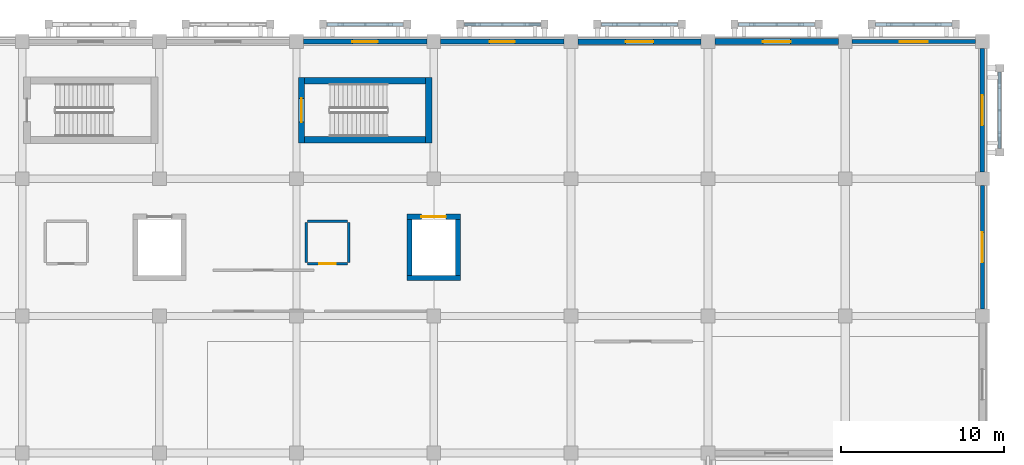
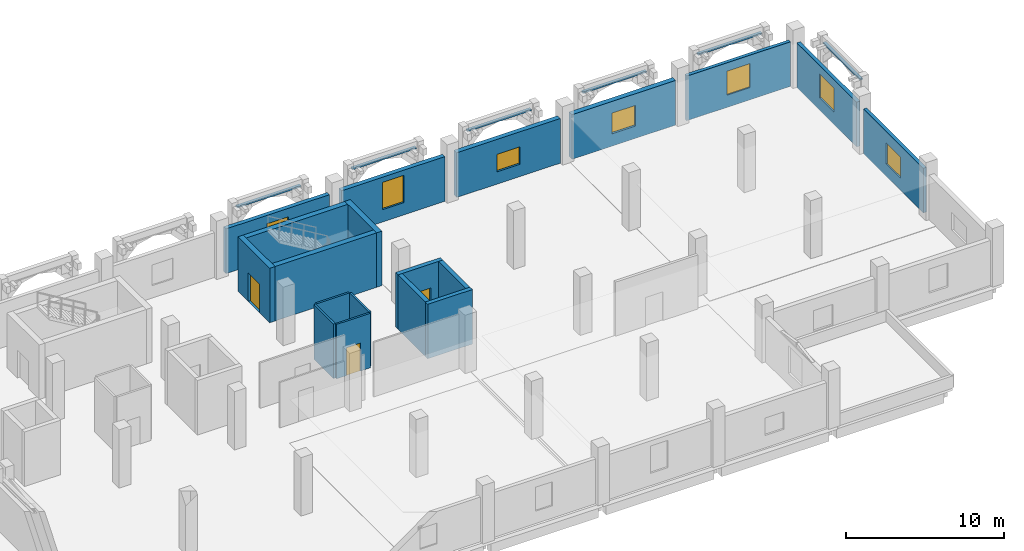
# One storey, part 119 of 137: 25 walls, 7 windows, 3 doors, 10 openings.
"""IFC4 building model written with IfcOpenShell, lengths in metres."""

from ifc_helpers import new_model, si_unit, direction, frame, frame_2d, origin, place, context, subcontext, project, spatial, rectangle, extrude, material, layer, layer_set, type_object, element, fill, save


model = new_model("IFC4")

# Units and contexts
model_context = context("Model", 3, precision=1e-05, world=origin(), true_north=direction((0.0, 1.0)))
body_context = subcontext(model_context, "Body", "Model", "MODEL_VIEW")
ifc_project = project(units=[si_unit("LENGTHUNIT", "METRE"), si_unit("AREAUNIT", "SQUARE_METRE"), si_unit("VOLUMEUNIT", "CUBIC_METRE"), si_unit("PLANEANGLEUNIT", "RADIAN"), si_unit("MASSUNIT", "GRAM", prefix="KILO")], contexts=[model_context])

# Site, building, storey
site_placement = place(None, origin())
site = spatial("IfcSite", under=ifc_project, at=site_placement, CompositionType="ELEMENT")
building_placement = place(site_placement, origin())
building = spatial("IfcBuilding", under=site, at=building_placement, Name="Xazarin Passage Department Store", CompositionType="ELEMENT")
storey_placement = place(building_placement, frame((0.0, 0.0, 5.39990234375)))
storey = spatial("IfcBuildingStorey", under=building, at=storey_placement, Name="L01", CompositionType="ELEMENT", Elevation=5.39990234375)

# Wall, opening, window
ifc_material_1 = material(Name="Precast concrete C40/50", Category="concrete")
ifc_layer_1 = layer(ifc_material_1, 0.239990234375)
ifc_layer_set_1 = layer_set([ifc_layer_1], Name="Precast concrete C40/50")
wall_type_1 = type_object("IfcWallType", Name="ARC-W-EXT240", PredefinedType="SOLIDWALL", material=ifc_layer_set_1)
wall_1_placement = place(storey_placement, frame((161.625, 110.0, 0.0), z_axis=(0.0, 0.0, 1.0), x_axis=(1.0, 0.0, 0.0)))
wall_1 = element("IfcWall", 1, at=wall_1_placement, inside=storey, type_object=wall_type_1, Name="L01 V4 Exterior Wall 286", PredefinedType="SOLIDWALL", context=body_context, shape_type="SweptSolid", body=[
    extrude(rectangle(XDim=7.550048828125, YDim=0.239990234375, at=frame_2d((3.77490234375, 0.0))), origin(), (0.0, 0.0, 1.0), 3.4501953125),
])
opening_1_placement = place(wall_1_placement, frame((2.925048828125, 0.0, 0.949951171875)))
opening_1 = element("IfcOpeningElement", 2, at=opening_1_placement, cuts=wall_1, Name="Opening W23", PredefinedType="OPENING", context=body_context, shape_type="SweptSolid", body=[
    extrude(rectangle(XDim=1.699951171875, YDim=1.85009765625, at=frame_2d((0.85009765625, 0.925048828125))), frame((0.0, 0.1298828125, 0.0), z_axis=(0.0, -1.0, 0.0), x_axis=(1.0, 0.0, 0.0)), (0.0, 0.0, 1.0), 0.260009765625),
])
ifc_material_2 = material(Name="Low-E laminated safety glass", Category="glass")
window_type_1 = type_object("IfcWindowType", Name="ARC-WIN-W23", PartitioningType="DOUBLE_PANEL_VERTICAL", PredefinedType="WINDOW", material=ifc_material_2)
window_1_placement = place(opening_1_placement, origin())
window_1 = element("IfcWindow", 3, at=window_1_placement, inside=storey, type_object=window_type_1, Name="L01 V4 Facade Window 0071", OverallHeight=1.85009765625, OverallWidth=1.699951171875, PartitioningType="DOUBLE_PANEL_VERTICAL", PredefinedType="WINDOW", context=body_context, shape_type="SweptSolid", body=[
    extrude(rectangle(XDim=1.699951171875, YDim=1.85009765625, at=frame_2d((0.85009765625, 0.925048828125))), frame((0.0, 0.030029296875, 0.0), z_axis=(0.0, -1.0, 0.0), x_axis=(1.0, 0.0, 0.0)), (0.0, 0.0, 1.0), 0.06005859375),
])
fill(opening_1, window_1)

wall_2_placement = place(storey_placement, frame((169.60009765625, 93.625, 0.0), z_axis=(0.0, 0.0, 1.0), x_axis=(0.0, 1.0, 0.0)))
wall_2 = element("IfcWall", 4, at=wall_2_placement, inside=storey, type_object=wall_type_1, Name="L01 V4 Exterior Wall 293", PredefinedType="SOLIDWALL", context=body_context, shape_type="SweptSolid", body=[
    extrude(rectangle(XDim=7.550048828125, YDim=0.239990234375, at=frame_2d((3.77490234375, 0.0))), origin(), (0.0, 0.0, 1.0), 3.4501953125),
])
opening_2_placement = place(wall_2_placement, frame((2.85009765625, 0.0, 0.949951171875)))
opening_2 = element("IfcOpeningElement", 5, at=opening_2_placement, cuts=wall_2, Name="Opening W26", PredefinedType="OPENING", context=body_context, shape_type="SweptSolid", body=[
    extrude(rectangle(XDim=1.85009765625, YDim=1.60009765625, at=frame_2d((0.925048828125, 0.800048828125))), frame((0.0, 0.1298828125, 0.0), z_axis=(0.0, -1.0, 0.0), x_axis=(1.0, 0.0, 0.0)), (0.0, 0.0, 1.0), 0.260009765625),
])
window_type_2 = type_object("IfcWindowType", Name="ARC-WIN-W26", PartitioningType="DOUBLE_PANEL_VERTICAL", PredefinedType="WINDOW", material=ifc_material_2)
window_2_placement = place(opening_2_placement, origin())
window_2 = element("IfcWindow", 6, at=window_2_placement, inside=storey, type_object=window_type_2, Name="L01 V4 Facade Window 0074", OverallHeight=1.60009765625, OverallWidth=1.85009765625, PartitioningType="DOUBLE_PANEL_VERTICAL", PredefinedType="WINDOW", context=body_context, shape_type="SweptSolid", body=[
    extrude(rectangle(XDim=1.85009765625, YDim=1.60009765625, at=frame_2d((0.925048828125, 0.800048828125))), frame((0.0, 0.030029296875, 0.0), z_axis=(0.0, -1.0, 0.0), x_axis=(1.0, 0.0, 0.0)), (0.0, 0.0, 1.0), 0.06005859375),
])
fill(opening_2, window_2)

ifc_layer_2 = layer(ifc_material_1, 0.260009765625)
ifc_layer_set_2 = layer_set([ifc_layer_2], Name="Precast concrete C40/50")
wall_type_2 = type_object("IfcWallType", Name="ARC-W-EXT260", PredefinedType="SOLIDWALL", material=ifc_layer_set_2)
wall_3_placement = place(storey_placement, frame((169.60009765625, 102.02490234375, 0.0), z_axis=(0.0, 0.0, 1.0), x_axis=(0.0, 1.0, 0.0)))
wall_3 = element("IfcWall", 7, at=wall_3_placement, inside=storey, type_object=wall_type_2, Name="L01 V4 Exterior Wall 294", PredefinedType="SOLIDWALL", context=body_context, shape_type="SweptSolid", body=[
    extrude(rectangle(XDim=7.550048828125, YDim=0.260009765625, at=frame_2d((3.77490234375, 0.0))), origin(), (0.0, 0.0, 1.0), 3.4501953125),
])
opening_3_placement = place(wall_3_placement, frame((2.85009765625, 0.0, 0.949951171875)))
opening_3 = element("IfcOpeningElement", 8, at=opening_3_placement, cuts=wall_3, Name="Opening W27", PredefinedType="OPENING", context=body_context, shape_type="SweptSolid", body=[
    extrude(rectangle(XDim=1.85009765625, YDim=1.85009765625, at=frame_2d((0.925048828125, 0.925048828125))), frame((0.0, 0.139892578125, 0.0), z_axis=(0.0, -1.0, 0.0), x_axis=(1.0, 0.0, 0.0)), (0.0, 0.0, 1.0), 0.280029296875),
])
window_type_3 = type_object("IfcWindowType", Name="ARC-WIN-W27", PartitioningType="DOUBLE_PANEL_VERTICAL", PredefinedType="WINDOW", material=ifc_material_2)
window_3_placement = place(opening_3_placement, origin())
window_3 = element("IfcWindow", 9, at=window_3_placement, inside=storey, type_object=window_type_3, Name="L01 V4 Facade Window 0075", OverallHeight=1.85009765625, OverallWidth=1.85009765625, PartitioningType="DOUBLE_PANEL_VERTICAL", PredefinedType="WINDOW", context=body_context, shape_type="SweptSolid", body=[
    extrude(rectangle(XDim=1.85009765625, YDim=1.85009765625, at=frame_2d((0.925048828125, 0.925048828125))), frame((0.0, 0.030029296875, 0.0), z_axis=(0.0, -1.0, 0.0), x_axis=(1.0, 0.0, 0.0)), (0.0, 0.0, 1.0), 0.06005859375),
])
fill(opening_3, window_3)

ifc_layer_3 = layer(ifc_material_1, 0.300048828125)
ifc_layer_set_3 = layer_set([ifc_layer_3], Name="Precast concrete C40/50")
wall_type_3 = type_object("IfcWallType", Name="ARC-W-EXT300", PredefinedType="SOLIDWALL", material=ifc_layer_set_3)
wall_4_placement = place(storey_placement, frame((128.02490234375, 110.0, 0.0), z_axis=(0.0, 0.0, 1.0), x_axis=(1.0, 0.0, 0.0)))
wall_4 = element("IfcWall", 10, at=wall_4_placement, inside=storey, type_object=wall_type_3, Name="L01 V4 Exterior Wall 282", PredefinedType="SOLIDWALL", context=body_context, shape_type="SweptSolid", body=[
    extrude(rectangle(XDim=7.550048828125, YDim=0.300048828125, at=frame_2d((3.77490234375, 0.0))), origin(), (0.0, 0.0, 1.0), 3.4501953125),
])
opening_4_placement = place(wall_4_placement, frame((3.0, 0.0, 0.949951171875)))
opening_4 = element("IfcOpeningElement", 11, at=opening_4_placement, cuts=wall_4, Name="Opening W19", PredefinedType="OPENING", context=body_context, shape_type="SweptSolid", body=[
    extrude(rectangle(XDim=1.550048828125, YDim=1.85009765625, at=frame_2d((0.77490234375, 0.925048828125))), frame((0.0, 0.159912109375, 0.0), z_axis=(0.0, -1.0, 0.0), x_axis=(1.0, 0.0, 0.0)), (0.0, 0.0, 1.0), 0.320068359375),
])
window_type_4 = type_object("IfcWindowType", Name="ARC-WIN-W19", PartitioningType="SINGLE_PANEL", PredefinedType="WINDOW", material=ifc_material_2)
window_4_placement = place(opening_4_placement, origin())
window_4 = element("IfcWindow", 12, at=window_4_placement, inside=storey, type_object=window_type_4, Name="L01 V4 Facade Window 0067", OverallHeight=1.85009765625, OverallWidth=1.550048828125, PartitioningType="SINGLE_PANEL", PredefinedType="WINDOW", context=body_context, shape_type="SweptSolid", body=[
    extrude(rectangle(XDim=1.550048828125, YDim=1.85009765625, at=frame_2d((0.77490234375, 0.925048828125))), frame((0.0, 0.030029296875, 0.0), z_axis=(0.0, -1.0, 0.0), x_axis=(1.0, 0.0, 0.0)), (0.0, 0.0, 1.0), 0.06005859375),
])
fill(opening_4, window_4)

ifc_material_3 = material(Name="Buff Baku clay brick", Category="masonry")
ifc_layer_4 = layer(ifc_material_3, 0.320068359375)
ifc_layer_set_4 = layer_set([ifc_layer_4], Name="Buff Baku clay brick")
wall_type_4 = type_object("IfcWallType", Name="ARC-W-EXT320", PredefinedType="SOLIDWALL", material=ifc_layer_set_4)
wall_5_placement = place(storey_placement, frame((136.425048828125, 110.0, 0.0), z_axis=(0.0, 0.0, 1.0), x_axis=(1.0, 0.0, 0.0)))
wall_5 = element("IfcWall", 13, at=wall_5_placement, inside=storey, type_object=wall_type_4, Name="L01 V4 Exterior Wall 283", PredefinedType="SOLIDWALL", context=body_context, shape_type="SweptSolid", body=[
    extrude(rectangle(XDim=7.550048828125, YDim=0.320068359375, at=frame_2d((3.77490234375, 0.0))), origin(), (0.0, 0.0, 1.0), 3.4501953125),
])
opening_5_placement = place(wall_5_placement, frame((3.0, 0.0, 0.949951171875)))
opening_5 = element("IfcOpeningElement", 14, at=opening_5_placement, cuts=wall_5, Name="Opening W20", PredefinedType="OPENING", context=body_context, shape_type="SweptSolid", body=[
    extrude(rectangle(XDim=1.550048828125, YDim=2.10009765625, at=frame_2d((0.77490234375, 1.050048828125))), frame((0.0, 0.169921875, 0.0), z_axis=(0.0, -1.0, 0.0), x_axis=(1.0, 0.0, 0.0)), (0.0, 0.0, 1.0), 0.340087890625),
])
window_type_5 = type_object("IfcWindowType", Name="ARC-WIN-W20", PartitioningType="SINGLE_PANEL", PredefinedType="WINDOW", material=ifc_material_2)
window_5_placement = place(opening_5_placement, origin())
window_5 = element("IfcWindow", 15, at=window_5_placement, inside=storey, type_object=window_type_5, Name="L01 V4 Facade Window 0068", OverallHeight=2.10009765625, OverallWidth=1.550048828125, PartitioningType="SINGLE_PANEL", PredefinedType="WINDOW", context=body_context, shape_type="SweptSolid", body=[
    extrude(rectangle(XDim=1.550048828125, YDim=2.10009765625, at=frame_2d((0.77490234375, 1.050048828125))), frame((0.0, 0.030029296875, 0.0), z_axis=(0.0, -1.0, 0.0), x_axis=(1.0, 0.0, 0.0)), (0.0, 0.0, 1.0), 0.06005859375),
])
fill(opening_5, window_5)

ifc_material_4 = material(Name="Absheron limestone cladding", Category="masonry")
ifc_layer_5 = layer(ifc_material_4, 0.340087890625)
ifc_layer_set_5 = layer_set([ifc_layer_5], Name="Absheron limestone cladding")
wall_type_5 = type_object("IfcWallType", Name="ARC-W-EXT340", PredefinedType="SOLIDWALL", material=ifc_layer_set_5)
wall_6_placement = place(storey_placement, frame((144.824951171875, 110.0, 0.0), z_axis=(0.0, 0.0, 1.0), x_axis=(1.0, 0.0, 0.0)))
wall_6 = element("IfcWall", 16, at=wall_6_placement, inside=storey, type_object=wall_type_5, Name="L01 V4 Exterior Wall 284", PredefinedType="SOLIDWALL", context=body_context, shape_type="SweptSolid", body=[
    extrude(rectangle(XDim=7.550048828125, YDim=0.340087890625, at=frame_2d((3.77490234375, 0.0))), origin(), (0.0, 0.0, 1.0), 3.4501953125),
])
opening_6_placement = place(wall_6_placement, frame((2.925048828125, 0.0, 0.949951171875)))
opening_6 = element("IfcOpeningElement", 17, at=opening_6_placement, cuts=wall_6, Name="Opening W21", PredefinedType="OPENING", context=body_context, shape_type="SweptSolid", body=[
    extrude(rectangle(XDim=1.699951171875, YDim=1.35009765625, at=frame_2d((0.85009765625, 0.675048828125))), frame((0.0, 0.179931640625, 0.0), z_axis=(0.0, -1.0, 0.0), x_axis=(1.0, 0.0, 0.0)), (0.0, 0.0, 1.0), 0.360107421875),
])
window_type_6 = type_object("IfcWindowType", Name="ARC-WIN-W21", PartitioningType="DOUBLE_PANEL_VERTICAL", PredefinedType="WINDOW", material=ifc_material_2)
window_6_placement = place(opening_6_placement, origin())
window_6 = element("IfcWindow", 18, at=window_6_placement, inside=storey, type_object=window_type_6, Name="L01 V4 Facade Window 0069", OverallHeight=1.35009765625, OverallWidth=1.699951171875, PartitioningType="DOUBLE_PANEL_VERTICAL", PredefinedType="WINDOW", context=body_context, shape_type="SweptSolid", body=[
    extrude(rectangle(XDim=1.699951171875, YDim=1.35009765625, at=frame_2d((0.85009765625, 0.675048828125))), frame((0.0, 0.030029296875, 0.0), z_axis=(0.0, -1.0, 0.0), x_axis=(1.0, 0.0, 0.0)), (0.0, 0.0, 1.0), 0.06005859375),
])
fill(opening_6, window_6)

ifc_layer_6 = layer(ifc_material_4, 0.360107421875)
ifc_layer_set_6 = layer_set([ifc_layer_6], Name="Absheron limestone cladding")
wall_type_6 = type_object("IfcWallType", Name="ARC-W-EXT360", PredefinedType="SOLIDWALL", material=ifc_layer_set_6)
wall_7_placement = place(storey_placement, frame((153.22509765625, 110.0, 0.0), z_axis=(0.0, 0.0, 1.0), x_axis=(1.0, 0.0, 0.0)))
wall_7 = element("IfcWall", 19, at=wall_7_placement, inside=storey, type_object=wall_type_6, Name="L01 V4 Exterior Wall 285", PredefinedType="SOLIDWALL", context=body_context, shape_type="SweptSolid", body=[
    extrude(rectangle(XDim=7.5498046875, YDim=0.360107421875, at=frame_2d((3.77490234375, 0.0))), origin(), (0.0, 0.0, 1.0), 3.4501953125),
])
opening_7_placement = place(wall_7_placement, frame((2.925048828125, 0.0, 0.949951171875)))
opening_7 = element("IfcOpeningElement", 20, at=opening_7_placement, cuts=wall_7, Name="Opening W22", PredefinedType="OPENING", context=body_context, shape_type="SweptSolid", body=[
    extrude(rectangle(XDim=1.699951171875, YDim=1.60009765625, at=frame_2d((0.85009765625, 0.800048828125))), frame((0.0, 0.18994140625, 0.0), z_axis=(0.0, -1.0, 0.0), x_axis=(1.0, 0.0, 0.0)), (0.0, 0.0, 1.0), 0.380126953125),
])
window_type_7 = type_object("IfcWindowType", Name="ARC-WIN-W22", PartitioningType="DOUBLE_PANEL_VERTICAL", PredefinedType="WINDOW", material=ifc_material_2)
window_7_placement = place(opening_7_placement, origin())
window_7 = element("IfcWindow", 21, at=window_7_placement, inside=storey, type_object=window_type_7, Name="L01 V4 Facade Window 0070", OverallHeight=1.60009765625, OverallWidth=1.699951171875, PartitioningType="DOUBLE_PANEL_VERTICAL", PredefinedType="WINDOW", context=body_context, shape_type="SweptSolid", body=[
    extrude(rectangle(XDim=1.699951171875, YDim=1.60009765625, at=frame_2d((0.85009765625, 0.800048828125))), frame((0.0, 0.030029296875, 0.0), z_axis=(0.0, -1.0, 0.0), x_axis=(1.0, 0.0, 0.0)), (0.0, 0.0, 1.0), 0.06005859375),
])
fill(opening_7, window_7)

# Walls
ifc_layer_7 = layer(ifc_material_1, 0.2099609375)
ifc_layer_set_7 = layer_set([ifc_layer_7], Name="Precast concrete C40/50")
wall_type_7 = type_object("IfcWallType", Name="ARC-W-PAR210", PredefinedType="PARAPET", material=ifc_layer_set_7)
for number, where, z_axis, x_axis, name in (
    (22, (129.469970703125, 111.050048828125, 3.880126953125), (0.0, 0.0, 1.0), (1.0, 0.0, 0.0), "L01 V4 Pierced-Arch Spandrel Lintel 0158"),
    (23, (137.8701171875, 111.050048828125, 3.880126953125), (0.0, 0.0, 1.0), (1.0, 0.0, 0.0), "L01 V4 Pierced-Arch Spandrel Lintel 0162"),
    (24, (146.27001953125, 111.050048828125, 3.880126953125), (0.0, 0.0, 1.0), (1.0, 0.0, 0.0), "L01 V4 Pierced-Arch Spandrel Lintel 0166"),
):
    element("IfcWall", number, at=place(storey_placement, frame(where, z_axis=z_axis, x_axis=x_axis)), inside=storey, type_object=wall_type_7, Name=name, PredefinedType="PARAPET", context=body_context, shape_type="SweptSolid", body=[
        extrude(rectangle(XDim=4.659912109375, YDim=0.2099609375, at=frame_2d((2.330078125, 0.0))), origin(), (0.0, 0.0, 1.0), 0.119873046875),
    ])
wall_8_placement = place(storey_placement, frame((154.669921875, 111.050048828125, 3.880126953125), z_axis=(0.0, 0.0, 1.0), x_axis=(1.0, 0.0, 0.0)))
element("IfcWall", 25, at=wall_8_placement, inside=storey, type_object=wall_type_7, Name="L01 V4 Pierced-Arch Spandrel Lintel 0168", PredefinedType="PARAPET", context=body_context, shape_type="SweptSolid", body=[
    extrude(rectangle(XDim=4.66015625, YDim=0.2099609375, at=frame_2d((2.330078125, 0.0))), origin(), (0.0, 0.0, 1.0), 0.119873046875),
])
for number, where, z_axis, x_axis, name in (
    (26, (163.070068359375, 111.050048828125, 3.880126953125), (0.0, 0.0, 1.0), (1.0, 0.0, 0.0), "L01 V4 Pierced-Arch Spandrel Lintel 0170"),
    (27, (170.64990234375, 103.469970703125, 3.880126953125), (0.0, 0.0, 1.0), (0.0, 1.0, 0.0), "L01 V4 Pierced-Arch Spandrel Lintel 0173"),
):
    element("IfcWall", number, at=place(storey_placement, frame(where, z_axis=z_axis, x_axis=x_axis)), inside=storey, type_object=wall_type_7, Name=name, PredefinedType="PARAPET", context=body_context, shape_type="SweptSolid", body=[
        extrude(rectangle(XDim=4.659912109375, YDim=0.2099609375, at=frame_2d((2.330078125, 0.0))), origin(), (0.0, 0.0, 1.0), 0.119873046875),
    ])

# Wall, opening, door
ifc_material_5 = material(Name="Moisture-resistant masonry partition", Category="masonry")
ifc_layer_8 = layer(ifc_material_5, 0.139892578125)
ifc_layer_set_8 = layer_set([ifc_layer_8], Name="Moisture-resistant masonry partition")
wall_type_8 = type_object("IfcWallType", Name="ARC-W-PRT140", PredefinedType="PARTITIONING", material=ifc_layer_set_8)
wall_9_placement = place(storey_placement, frame((128.27001953125, 96.39990234375, 0.0), z_axis=(0.0, 0.0, 1.0), x_axis=(1.0, 0.0, 0.0)))
wall_9 = element("IfcWall", 28, at=wall_9_placement, inside=storey, type_object=wall_type_8, Name="L01 Accessible WC 0131", PredefinedType="PARTITIONING", context=body_context, shape_type="SweptSolid", body=[
    extrude(rectangle(XDim=2.4599609375, YDim=0.139892578125, at=frame_2d((1.22998046875, 0.0))), origin(), (0.0, 0.0, 1.0), 4.2001953125),
])
opening_8_placement = place(wall_9_placement, frame((0.719970703125, 0.0, 0.0)))
opening_8 = element("IfcOpeningElement", 29, at=opening_8_placement, cuts=wall_9, Name="Opening ID2", PredefinedType="OPENING", context=body_context, shape_type="SweptSolid", body=[
    extrude(rectangle(XDim=1.02001953125, YDim=2.14990234375, at=frame_2d((0.510009765625, 1.074951171875))), frame((0.0, 0.079833984375, 0.0), z_axis=(0.0, -1.0, 0.0), x_axis=(1.0, 0.0, 0.0)), (0.0, 0.0, 1.0), 0.159912109375),
])
ifc_material_6 = material(Name="Timber acoustic leaf", Category="wood")
door_type_1 = type_object("IfcDoorType", Name="ARC-DR-AWC102", OperationType="NOTDEFINED", PredefinedType="DOOR", material=ifc_material_6)
door_1_placement = place(opening_8_placement, origin())
door_1 = element("IfcDoor", 30, at=door_1_placement, inside=storey, type_object=door_type_1, Name="DR-INT-L01-0131", OperationType="SINGLE_SWING_RIGHT", OverallHeight=2.14990234375, OverallWidth=1.02001953125, PredefinedType="DOOR", context=body_context, shape_type="SweptSolid", body=[
    extrude(rectangle(XDim=1.02001953125, YDim=2.14990234375, at=frame_2d((0.510009765625, 1.074951171875))), frame((0.0, 0.02490234375, 0.0), z_axis=(0.0, -1.0, 0.0), x_axis=(1.0, 0.0, 0.0)), (0.0, 0.0, 1.0), 0.050048828125),
])
fill(opening_8, door_1)

# Walls
for number, where, z_axis, x_axis, name in (
    (31, (128.27001953125, 99.0, 0.0), (0.0, 0.0, 1.0), (1.0, 0.0, 0.0), "L01 Accessible WC Back Wall 0132"),
    (32, (128.199951171875, 96.469970703125, 0.0), (0.0, 0.0, 1.0), (0.0, 1.0, 0.0), "L01 Accessible WC Side Wall 0133"),
    (33, (130.800048828125, 96.469970703125, 0.0), (0.0, 0.0, 1.0), (0.0, 1.0, 0.0), "L01 Accessible WC Side Wall 0134"),
):
    element("IfcWall", number, at=place(storey_placement, frame(where, z_axis=z_axis, x_axis=x_axis)), inside=storey, type_object=wall_type_8, Name=name, PredefinedType="PARTITIONING", context=body_context, shape_type="SweptSolid", body=[
        extrude(rectangle(XDim=2.4599609375, YDim=0.139892578125, at=frame_2d((1.22998046875, 0.0))), origin(), (0.0, 0.0, 1.0), 4.2001953125),
    ])
ifc_material_7 = material(Name="Concrete C40/50", Category="concrete")
ifc_layer_9 = layer(ifc_material_7, 0.31005859375)
ifc_layer_set_9 = layer_set([ifc_layer_9], Name="Concrete C40/50")
wall_type_9 = type_object("IfcWallType", Name="STR-W-LFT310", PredefinedType="SHEAR", material=ifc_layer_set_9)
wall_10_placement = place(storey_placement, frame((134.3701171875, 95.52490234375, 0.0), z_axis=(0.0, 0.0, 1.0), x_axis=(1.0, 0.0, 0.0)))
element("IfcWall", 34, at=wall_10_placement, inside=storey, type_object=wall_type_9, Name="L01 Lift GL2 Shaft Wall South", PredefinedType="SHEAR", context=body_context, shape_type="SweptSolid", body=[
    extrude(rectangle(XDim=3.259765625, YDim=0.31005859375, at=frame_2d((1.6298828125, 0.0))), origin(), (0.0, 0.0, 1.0), 4.2001953125),
])

# Wall, opening, door
wall_11_placement = place(storey_placement, frame((134.3701171875, 99.27490234375, 0.0), z_axis=(0.0, 0.0, 1.0), x_axis=(1.0, 0.0, 0.0)))
wall_11 = element("IfcWall", 35, at=wall_11_placement, inside=storey, type_object=wall_type_9, Name="L01 Lift GL2 Shaft Wall North", PredefinedType="SHEAR", context=body_context, shape_type="SweptSolid", body=[
    extrude(rectangle(XDim=3.259765625, YDim=0.31005859375, at=frame_2d((1.6298828125, 0.0))), origin(), (0.0, 0.0, 1.0), 4.2001953125),
])
opening_9_placement = place(wall_11_placement, frame((0.8798828125, 0.0, 0.0)))
opening_9 = element("IfcOpeningElement", 36, at=opening_9_placement, cuts=wall_11, Name="Opening LD-GL2-L01", PredefinedType="OPENING", context=body_context, shape_type="SweptSolid", body=[
    extrude(rectangle(XDim=1.5, YDim=2.35009765625, at=frame_2d((0.75, 1.175048828125))), frame((0.0, 0.1650390625, 0.0), z_axis=(0.0, -1.0, 0.0), x_axis=(1.0, 0.0, 0.0)), (0.0, 0.0, 1.0), 0.330078125),
])
ifc_material_8 = material(Name="Steel S355", Category="steel")
door_type_2 = type_object("IfcDoorType", Name="ARC-DR-LD150", OperationType="NOTDEFINED", PredefinedType="DOOR", material=ifc_material_8)
door_2_placement = place(opening_9_placement, origin())
door_2 = element("IfcDoor", 37, at=door_2_placement, inside=storey, type_object=door_type_2, Name="DR-LD-GL2-L01", OperationType="SLIDING_TO_LEFT", OverallHeight=2.35009765625, OverallWidth=1.5, PredefinedType="DOOR", context=body_context, shape_type="SweptSolid", body=[
    extrude(rectangle(XDim=1.5, YDim=2.35009765625, at=frame_2d((0.75, 1.175048828125))), frame((0.0, 0.02490234375, 0.0), z_axis=(0.0, -1.0, 0.0), x_axis=(1.0, 0.0, 0.0)), (0.0, 0.0, 1.0), 0.050048828125),
])
fill(opening_9, door_2)

# Walls
for number, where, z_axis, x_axis, name in (
    (38, (134.52490234375, 95.679931640625, 0.0), (0.0, 0.0, 1.0), (0.0, 1.0, 0.0), "L01 Lift GL2 Shaft Wall West"),
    (39, (137.47509765625, 95.679931640625, 0.0), (0.0, 0.0, 1.0), (0.0, 1.0, 0.0), "L01 Lift GL2 Shaft Wall East"),
):
    element("IfcWall", number, at=place(storey_placement, frame(where, z_axis=z_axis, x_axis=x_axis)), inside=storey, type_object=wall_type_9, Name=name, PredefinedType="SHEAR", context=body_context, shape_type="SweptSolid", body=[
        extrude(rectangle(XDim=3.440185546875, YDim=0.31005859375, at=frame_2d((1.72021484375, 0.0))), origin(), (0.0, 0.0, 1.0), 4.2001953125),
    ])

# Wall, opening, door
ifc_layer_10 = layer(ifc_material_7, 0.389892578125)
ifc_layer_set_10 = layer_set([ifc_layer_10], Name="Concrete C40/50")
wall_type_10 = type_object("IfcWallType", Name="STR-W-SHR390", PredefinedType="SHEAR", material=ifc_layer_set_10)
wall_12_placement = place(storey_placement, frame((127.905029296875, 107.81005859375, 0.0), z_axis=(0.0, 0.0, 1.0), x_axis=(0.0, -1.0, 0.0)))
wall_12 = element("IfcWall", 40, at=wall_12_placement, inside=storey, type_object=wall_type_10, Name="L01 Core K11 West Shear Wall", PredefinedType="SHEAR", context=body_context, shape_type="SweptSolid", body=[
    extrude(rectangle(XDim=4.02001953125, YDim=0.389892578125, at=frame_2d((2.010009765625, 0.0))), origin(), (0.0, 0.0, 1.0), 4.2001953125),
])
opening_10_placement = place(wall_12_placement, frame((1.284912109375, 0.0, 0.0)))
opening_10 = element("IfcOpeningElement", 41, at=opening_10_placement, cuts=wall_12, Name="Opening FD1", PredefinedType="OPENING", context=body_context, shape_type="SweptSolid", body=[
    extrude(rectangle(XDim=1.449951171875, YDim=2.199951171875, at=frame_2d((0.72509765625, 1.10009765625))), frame((0.0, 0.204833984375, 0.0), z_axis=(0.0, -1.0, 0.0), x_axis=(1.0, 0.0, 0.0)), (0.0, 0.0, 1.0), 0.409912109375),
])
door_type_3 = type_object("IfcDoorType", Name="ARC-DR-STR145", OperationType="NOTDEFINED", PredefinedType="DOOR", material=ifc_material_8)
door_3_placement = place(opening_10_placement, origin())
door_3 = element("IfcDoor", 42, at=door_3_placement, inside=storey, type_object=door_type_3, Name="DR-STR-K11-L01", OperationType="SINGLE_SWING_LEFT", OverallHeight=2.199951171875, OverallWidth=1.449951171875, PredefinedType="DOOR", context=body_context, shape_type="SweptSolid", body=[
    extrude(rectangle(XDim=1.449951171875, YDim=2.199951171875, at=frame_2d((0.72509765625, 1.10009765625))), frame((0.0, 0.02490234375, 0.0), z_axis=(0.0, -1.0, 0.0), x_axis=(1.0, 0.0, 0.0)), (0.0, 0.0, 1.0), 0.050048828125),
])
fill(opening_10, door_3)

# Walls
wall_13_placement = place(storey_placement, frame((135.695068359375, 103.7900390625, 0.0), z_axis=(0.0, 0.0, 1.0), x_axis=(0.0, 1.0, 0.0)))
element("IfcWall", 43, at=wall_13_placement, inside=storey, type_object=wall_type_10, Name="L01 Core K11 East Shear Wall", PredefinedType="SHEAR", context=body_context, shape_type="SweptSolid", body=[
    extrude(rectangle(XDim=4.02001953125, YDim=0.389892578125, at=frame_2d((2.010009765625, 0.0))), origin(), (0.0, 0.0, 1.0), 4.2001953125),
])
for number, where, z_axis, x_axis, name in (
    (44, (128.10009765625, 103.985107421875, 0.0), (0.0, 0.0, 1.0), (1.0, 0.0, 0.0), "L01 Core K11 South Shear Wall"),
    (45, (128.10009765625, 107.614990234375, 0.0), (0.0, 0.0, 1.0), (1.0, 0.0, 0.0), "L01 Core K11 North Shear Wall"),
):
    element("IfcWall", number, at=place(storey_placement, frame(where, z_axis=z_axis, x_axis=x_axis)), inside=storey, type_object=wall_type_10, Name=name, PredefinedType="SHEAR", context=body_context, shape_type="SweptSolid", body=[
        extrude(rectangle(XDim=7.39990234375, YDim=0.389892578125, at=frame_2d((3.699951171875, 0.0))), origin(), (0.0, 0.0, 1.0), 4.2001953125),
    ])

save(model, "model.ifc")
